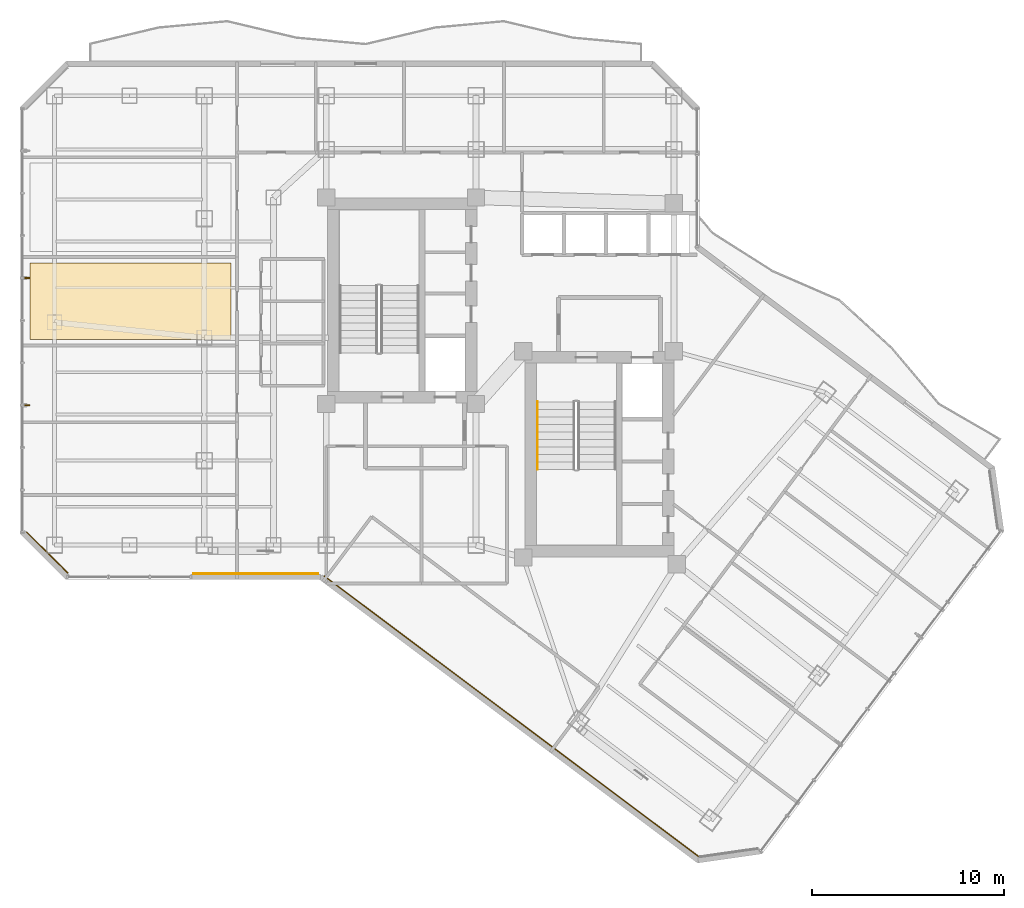
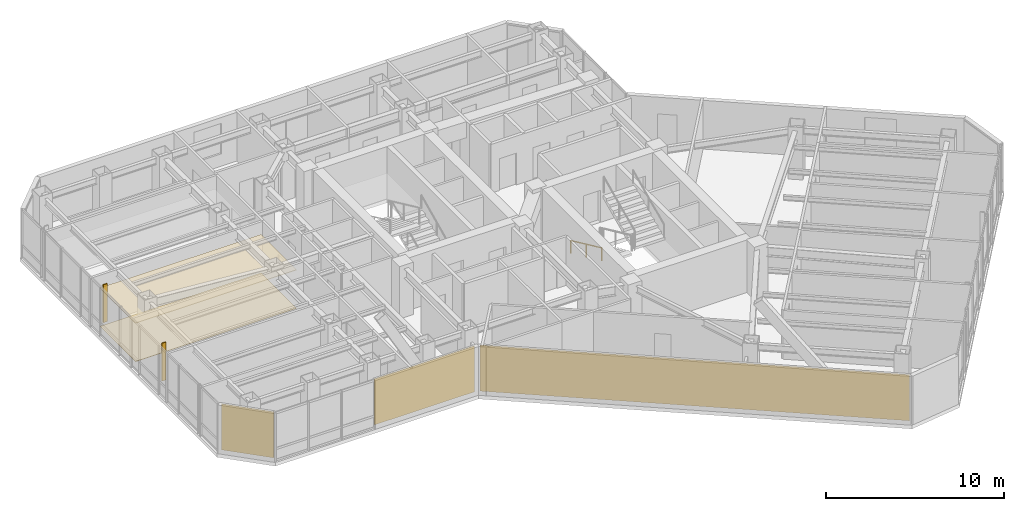
# One storey, part 26 of 29: 5 coverings, 2 shading devices, 1 railing.
"""IFC4 building model written with IfcOpenShell, lengths in metres."""

from ifc_helpers import new_model, si_unit, direction, frame, origin, origin_2d, place, context, subcontext, project, spatial, polyline, rectangle, circle, outline, extrude, material, layer, layer_set, type_object, element, save


model = new_model("IFC4")

# Units and contexts
model_context = context("Model", 3, precision=1e-05, world=origin(), true_north=direction((0.0, 1.0)))
body_context = subcontext(model_context, "Body", "Model", "MODEL_VIEW")
ifc_project = project(units=[si_unit("LENGTHUNIT", "METRE"), si_unit("AREAUNIT", "SQUARE_METRE"), si_unit("VOLUMEUNIT", "CUBIC_METRE"), si_unit("PLANEANGLEUNIT", "RADIAN"), si_unit("MASSUNIT", "GRAM", prefix="KILO")], contexts=[model_context])

# Site, building, storey
site_placement = place(None, origin())
site = spatial("IfcSite", under=ifc_project, at=site_placement, CompositionType="ELEMENT")
building_placement = place(site_placement, origin())
building = spatial("IfcBuilding", under=site, at=building_placement, Name="Hatsunagi Terrace Concourse", CompositionType="ELEMENT")
storey_placement = place(building_placement, frame((0.0, 0.0, 149.25)))
storey = spatial("IfcBuildingStorey", under=building, at=storey_placement, Name="L39", CompositionType="ELEMENT", Elevation=149.25)

# Covering
ifc_material_1 = material(Name="Granite stone paving", Category="masonry")
ifc_layer_1 = layer(ifc_material_1, 0.02490234375)
ifc_layer_set_1 = layer_set([ifc_layer_1], Name="GraniteStoneFlooring_25")
covering_type_1 = type_object("IfcCoveringType", Name="GraniteStoneFlooring_25", PredefinedType="FLOORING", material=ifc_layer_set_1)
covering_1_placement = place(storey_placement, origin())
element("IfcCovering", 1, at=covering_1_placement, inside=storey, type_object=covering_type_1, Name="Finished Flooring L39-2", PredefinedType="FLOORING", context=body_context, shape_type="SweptSolid", body=[
    extrude(outline(polyline([(10.1298828125, 35.89990234375), (20.60009765625, 35.89990234375), (20.60009765625, 39.89990234375), (10.1298828125, 39.89990234375), (10.1298828125, 35.89990234375)])), origin(), (0.0, 0.0, 1.0), 0.02490234375),
])

# Railing
ifc_material_2 = material(Name="Stainless steel", Category="steel")
ifc_layer_2 = layer(ifc_material_2, 0.044921875)
ifc_layer_set_2 = layer_set([ifc_layer_2], Name="StairPitchHandrail_Tower2000")
railing_type = type_object("IfcRailingType", Name="StairPitchHandrail_Tower2000", PredefinedType="HANDRAIL", material=ifc_layer_set_2)
railing_placement = place(storey_placement, frame((36.550048828125, 32.659912109375, 0.179931640625)))
element("IfcRailing", 2, at=railing_placement, inside=storey, type_object=railing_type, Name="L39 ST-B stair handrail 1", PredefinedType="HANDRAIL", context=body_context, shape_type="SweptSolid", body=[
    extrude(circle(Radius=0.02392578125, at=origin_2d()), frame((0.0, 0.0, 0.8759765625), z_axis=(0.0, -0.907948293929, 0.419082206198), x_axis=(1.0, 0.0, 0.0)), (0.0, 0.0, 1.0), 3.865966796875),
    extrude(circle(Radius=0.02099609375, at=origin_2d()), origin(), (0.0, 0.0, 1.0), 0.851806640625),
    extrude(circle(Radius=0.02099609375, at=origin_2d()), frame((0.0, -1.7548828125, 0.81005859375)), (0.0, 0.0, 1.0), 0.851806640625),
    extrude(circle(Radius=0.02099609375, at=origin_2d()), frame((0.0, -3.510009765625, 1.6201171875)), (0.0, 0.0, 1.0), 0.851806640625),
])

# Shading devices
ifc_material_3 = material(Name="Extruded Unglazed Terracotta Baguette", Category="masonry")
shading_device_type = type_object("IfcShadingDeviceType", Name="TerracottaFinScreen_260x70", PredefinedType="USERDEFINED", material=ifc_material_3)
for number, where, z_axis, x_axis, name in (
    (3, (9.989990234375, 32.48291015625, 0.849853515625), (0.0, 0.0, 1.0), (0.0, 1.0, 0.0), "Terracotta Baguette Fin Screen SCR-01"),
    (4, (9.989990234375, 39.10791015625, 0.849853515625), (0.0, 0.0, 1.0), (0.0, 1.0, 0.0), "Terracotta Baguette Fin Screen SCR-01"),
):
    element("IfcShadingDevice", number, at=place(storey_placement, frame(where, z_axis=z_axis, x_axis=x_axis)), inside=storey, type_object=shading_device_type, Name=name, ObjectType="SUNSHADE", PredefinedType="USERDEFINED", context=body_context, shape_type="SweptSolid", body=[
        extrude(rectangle(XDim=0.070068359375, YDim=0.260009765625, at=origin_2d()), origin(), (0.0, 0.0, 1.0), 2.60009765625),
    ])

# Coverings
ifc_material_4 = material(Name="Unglazed Warm Terracotta Rainscreen Tile", Category="masonry")
ifc_layer_3 = layer(ifc_material_4, 0.044921875)
ifc_layer_set_3 = layer_set([ifc_layer_3], Name="TerracottaRainscreenCladding_45")
covering_type_2 = type_object("IfcCoveringType", Name="TerracottaRainscreenCladding_45", PredefinedType="CLADDING", material=ifc_layer_set_3)
covering_2_placement = place(storey_placement, frame((35.179931640625, 16.29296875, 0.10009765625), z_axis=(0.0, 0.0, 1.0), x_axis=(-0.800005211305, 0.599993051531, 0.0)))
element("IfcCovering", 5, at=covering_2_placement, inside=storey, type_object=covering_type_2, Name="Terracotta Rainscreen Cladding L39-05", PredefinedType="CLADDING", context=body_context, shape_type="SweptSolid", body=[
    extrude(rectangle(XDim=24.34912109375, YDim=0.044921875, at=origin_2d()), origin(), (0.0, 0.0, 1.0), 3.14990234375),
])
covering_3_placement = place(storey_placement, frame((21.873046875, 23.701904296875, 0.10009765625), z_axis=(0.0, 0.0, 1.0), x_axis=(-1.0, 0.0, 0.0)))
element("IfcCovering", 6, at=covering_3_placement, inside=storey, type_object=covering_type_2, Name="Terracotta Rainscreen Cladding L39-06", PredefinedType="CLADDING", context=body_context, shape_type="SweptSolid", body=[
    extrude(rectangle(XDim=6.507080078125, YDim=0.044921875, at=origin_2d()), origin(), (0.0, 0.0, 1.0), 3.14990234375),
])
covering_4_placement = place(storey_placement, frame((11.013916015625, 24.81396484375, 0.10009765625), z_axis=(0.0, 0.0, 1.0), x_axis=(-0.707106781187, 0.707106781187, 0.0)))
element("IfcCovering", 7, at=covering_4_placement, inside=storey, type_object=covering_type_2, Name="Terracotta Rainscreen Cladding L39-08", PredefinedType="CLADDING", context=body_context, shape_type="SweptSolid", body=[
    extrude(rectangle(XDim=3.0380859375, YDim=0.044921875, at=origin_2d()), origin(), (0.0, 0.0, 1.0), 3.14990234375),
])
ifc_material_5 = material(Name="Hardwood timber", Category="wood")
ifc_layer_4 = layer(ifc_material_5, 0.034912109375)
ifc_layer_set_4 = layer_set([ifc_layer_4], Name="TimberBaffleCeiling_35")
covering_type_3 = type_object("IfcCoveringType", Name="TimberBaffleCeiling_35", PredefinedType="CEILING", material=ifc_layer_set_4)
covering_5_placement = place(storey_placement, frame((0.0, 0.0, 2.6298828125)))
element("IfcCovering", 8, at=covering_5_placement, inside=storey, type_object=covering_type_3, Name="Suspended Ceiling L39-2", PredefinedType="CEILING", context=body_context, shape_type="SweptSolid", body=[
    extrude(outline(polyline([(10.1298828125, 35.89990234375), (20.60009765625, 35.89990234375), (20.60009765625, 39.89990234375), (10.1298828125, 39.89990234375), (10.1298828125, 35.89990234375)])), origin(), (0.0, 0.0, 1.0), 0.03515625),
])

save(model, "model.ifc")
